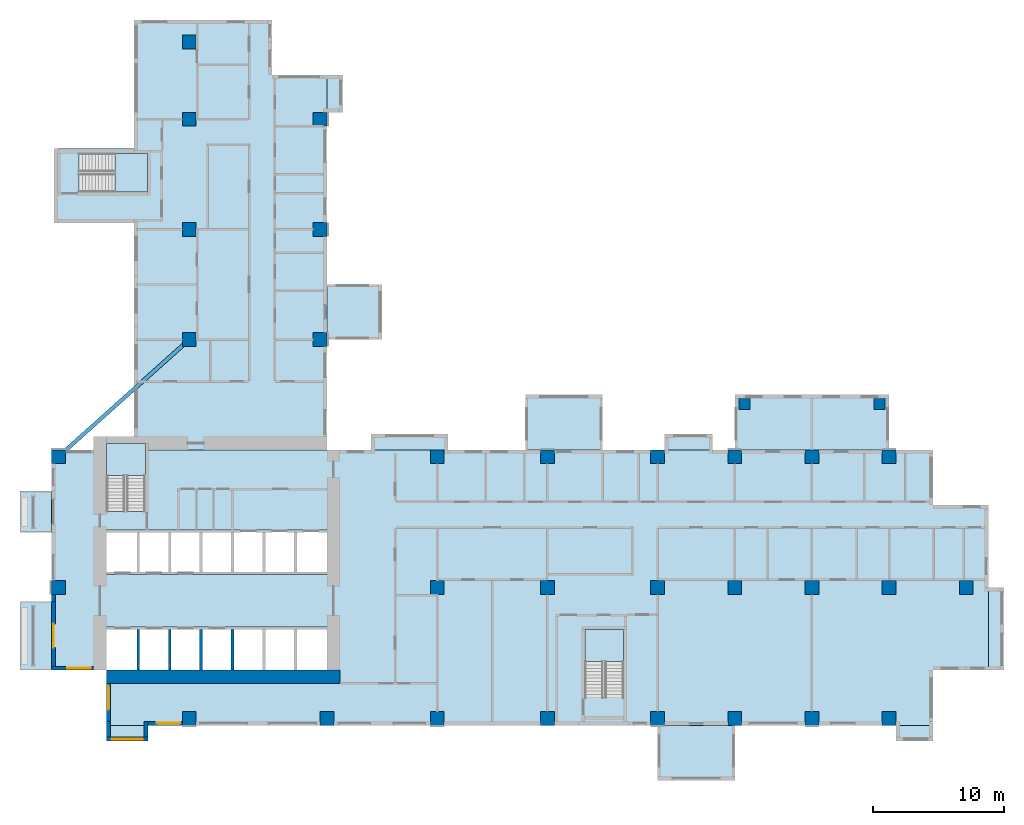
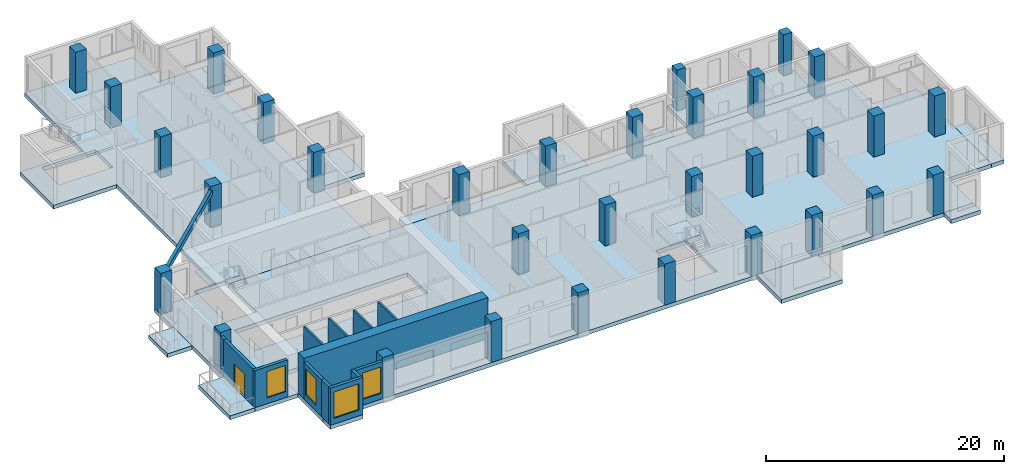
# One storey, part 1 of 15: 32 columns, 17 slabs, 13 walls, 4 windows, 1 door, 1 member, 5 openings, 3 elements without a shape of their own.
"""IFC4 building model written with IfcOpenShell, lengths in metres."""

from ifc_helpers import new_model, si_unit, direction, frame, frame_2d, origin, origin_2d, place, context, subcontext, project, spatial, polyline, rectangle, outline, extrude, source, transform, mapped, material, layer, layer_set, material_profile, profile_set, type_object, element, fill, aggregate, save


model = new_model("IFC4")

# Units and contexts
model_context = context("Model", 3, precision=1e-05, world=origin(), true_north=direction((0.0, 1.0)))
body_context = subcontext(model_context, "Body", "Model", "MODEL_VIEW")
ifc_project = project(units=[si_unit("LENGTHUNIT", "METRE"), si_unit("AREAUNIT", "SQUARE_METRE"), si_unit("VOLUMEUNIT", "CUBIC_METRE"), si_unit("PLANEANGLEUNIT", "RADIAN"), si_unit("MASSUNIT", "GRAM", prefix="KILO")], contexts=[model_context])

# Site, building, storey
site_placement = place(None, origin())
site = spatial("IfcSite", under=ifc_project, at=site_placement, CompositionType="ELEMENT")
building_placement = place(site_placement, origin())
building = spatial("IfcBuilding", under=site, at=building_placement, Name="Aurelian Terraces", CompositionType="ELEMENT")
storey_placement = place(building_placement, frame((0.0, 0.0, 120.3)))
storey = spatial("IfcBuildingStorey", under=building, at=storey_placement, Name="L26", CompositionType="ELEMENT", Elevation=120.3)

# Columns
ifc_material_1 = material(Name="Concrete fc' 83 MPa", Category="concrete")
ifc_material_profile_1 = material_profile(ifc_material_1, rectangle(XDim=1.05, YDim=1.05, at=origin_2d()))
ifc_profile_set_1 = profile_set([ifc_material_profile_1], Name="Concrete fc' 83 MPa")
column_type_1 = type_object("IfcColumnType", Name="RC COLUMN 1050X1050 FC83", PredefinedType="COLUMN", material=ifc_profile_set_1)
shared_shape_1 = source(origin(), body_context, "Body", "SweptSolid", [
    extrude(rectangle(XDim=1.05, YDim=1.05, at=origin_2d()), origin(), (0.0, 0.0, 1.0), 4.2),
])
for number, where, z_axis, x_axis, name in (
    (1, (10.5, 0.525, 0.0), (0.0, 0.0, 1.0), (1.0, 0.0, 0.0), "Column 2/A L26"),
    (2, (21.0, 0.525, 0.0), (0.0, 0.0, 1.0), (1.0, 0.0, 0.0), "Column 3/A L26"),
    (3, (29.4, 0.525, 0.0), (0.0, 0.0, 1.0), (1.0, 0.0, 0.0), "Column 4/A L26"),
    (4, (37.8, 0.525, 0.0), (0.0, 0.0, 1.0), (1.0, 0.0, 0.0), "Column 5/A L26"),
    (5, (46.2, 0.525, 0.0), (0.0, 0.0, 1.0), (1.0, 0.0, 0.0), "Column 6/A L26"),
    (6, (52.08, 0.525, 0.0), (0.0, 0.0, 1.0), (1.0, 0.0, 0.0), "Column 7/A L26"),
    (7, (57.96, 0.525, 0.0), (0.0, 0.0, 1.0), (1.0, 0.0, 0.0), "Column 8/A L26"),
    (8, (63.84, 0.525, 0.0), (0.0, 0.0, 1.0), (1.0, 0.0, 0.0), "Column 9/A L26"),
    (9, (0.525, 10.5, 0.0), (0.0, 0.0, 1.0), (1.0, 0.0, 0.0), "Column 1/B L26"),
    (10, (29.4, 10.5, 0.0), (0.0, 0.0, 1.0), (1.0, 0.0, 0.0), "Column 4/B L26"),
    (11, (37.8, 10.5, 0.0), (0.0, 0.0, 1.0), (1.0, 0.0, 0.0), "Column 5/B L26"),
    (12, (46.2, 10.5, 0.0), (0.0, 0.0, 1.0), (1.0, 0.0, 0.0), "Column 6/B L26"),
    (13, (52.08, 10.5, 0.0), (0.0, 0.0, 1.0), (1.0, 0.0, 0.0), "Column 7/B L26"),
    (14, (57.96, 10.5, 0.0), (0.0, 0.0, 1.0), (1.0, 0.0, 0.0), "Column 8/B L26"),
    (15, (63.84, 10.5, 0.0), (0.0, 0.0, 1.0), (1.0, 0.0, 0.0), "Column 9/B L26"),
    (16, (69.72, 10.5, 0.0), (0.0, 0.0, 1.0), (1.0, 0.0, 0.0), "Column 10/B L26"),
    (17, (0.525, 20.475, 0.0), (0.0, 0.0, 1.0), (1.0, 0.0, 0.0), "Column 1/C L26"),
    (18, (29.4, 20.475, 0.0), (0.0, 0.0, 1.0), (1.0, 0.0, 0.0), "Column 4/C L26"),
    (19, (37.8, 20.475, 0.0), (0.0, 0.0, 1.0), (1.0, 0.0, 0.0), "Column 5/C L26"),
    (20, (46.2, 20.475, 0.0), (0.0, 0.0, 1.0), (1.0, 0.0, 0.0), "Column 6/C L26"),
    (21, (52.08, 20.475, 0.0), (0.0, 0.0, 1.0), (1.0, 0.0, 0.0), "Column 7/C L26"),
    (22, (57.96, 20.475, 0.0), (0.0, 0.0, 1.0), (1.0, 0.0, 0.0), "Column 8/C L26"),
    (23, (63.84, 20.475, 0.0), (0.0, 0.0, 1.0), (1.0, 0.0, 0.0), "Column 9/C L26"),
    (24, (10.5, 29.4, 0.0), (0.0, 0.0, 1.0), (1.0, 0.0, 0.0), "Column 2/D L26"),
    (25, (20.475, 29.4, 0.0), (0.0, 0.0, 1.0), (1.0, 0.0, 0.0), "Column 3/D L26"),
    (26, (10.5, 37.8, 0.0), (0.0, 0.0, 1.0), (1.0, 0.0, 0.0), "Column 2/E L26"),
    (27, (20.475, 37.8, 0.0), (0.0, 0.0, 1.0), (1.0, 0.0, 0.0), "Column 3/E L26"),
    (28, (10.5, 46.2, 0.0), (0.0, 0.0, 1.0), (1.0, 0.0, 0.0), "Column 2/F L26"),
    (29, (20.475, 46.2, 0.0), (0.0, 0.0, 1.0), (1.0, 0.0, 0.0), "Column 3/F L26"),
    (30, (10.5, 52.08, 0.0), (0.0, 0.0, 1.0), (1.0, 0.0, 0.0), "Column 2/G L26"),
):
    element("IfcColumn", number, at=place(storey_placement, frame(where, z_axis=z_axis, x_axis=x_axis)), inside=storey, type_object=column_type_1, Name=name, PredefinedType="COLUMN", context=body_context, shape_type="MappedRepresentation", body=[
        mapped(shared_shape_1, transform((0.0, 0.0, 0.0), scale=1.0)),
    ])
ifc_material_2 = material(Name="Concrete fc' 55 MPa", Category="concrete")
ifc_material_profile_2 = material_profile(ifc_material_2, rectangle(XDim=0.84, YDim=0.84, at=origin_2d()))
ifc_profile_set_2 = profile_set([ifc_material_profile_2], Name="Concrete fc' 55 MPa")
column_type_2 = type_object("IfcColumnType", Name="BLOCK CORNER PIER 840X840", PredefinedType="COLUMN", material=ifc_profile_set_2)
shared_shape_2 = source(origin(), body_context, "Body", "SweptSolid", [
    extrude(rectangle(XDim=0.84, YDim=0.84, at=origin_2d()), origin(), (0.0, 0.0, 1.0), 4.2),
])
for number, where, z_axis, x_axis, name in (
    (31, (52.805, 24.48, 0.0), (0.0, 0.0, 1.0), (1.0, 0.0, 0.0), "Block pier K02.1 L26"),
    (32, (63.115, 24.48, 0.0), (0.0, 0.0, 1.0), (1.0, 0.0, 0.0), "Block pier K02.2 L26"),
):
    element("IfcColumn", number, at=place(storey_placement, frame(where, z_axis=z_axis, x_axis=x_axis)), inside=storey, type_object=column_type_2, Name=name, PredefinedType="COLUMN", context=body_context, shape_type="MappedRepresentation", body=[
        mapped(shared_shape_2, transform((0.0, 0.0, 0.0), scale=1.0)),
    ])

# Member
ifc_material_3 = material(Name="Concrete fc' 40 MPa", Category="concrete")
ifc_material_profile_3 = material_profile(ifc_material_3, rectangle(XDim=0.3, YDim=0.5, at=origin_2d()))
ifc_profile_set_3 = profile_set([ifc_material_profile_3], Name="Concrete fc' 40 MPa")
member_type = type_object("IfcMemberType", Name="CONCRETE EDGE BEAM 300X500", PredefinedType="MEMBER", material=ifc_profile_set_3)
member_placement = place(storey_placement, frame((10.1087, 29.0499, 3.55), z_axis=(-0.745240465393, -0.666795807381, 0.0), x_axis=(0.666795807381, -0.745240465393, 0.0)))
element("IfcMember", 33, at=member_placement, inside=storey, type_object=member_type, Name="Terrace edge member SKY-04-T1", PredefinedType="MEMBER", context=body_context, shape_type="SweptSolid", body=[
    extrude(rectangle(XDim=0.3, YDim=0.5, at=origin_2d()), origin(), (0.0, 0.0, 1.0), 12.3348),
])

# Slabs
ifc_layer_1 = layer(ifc_material_3, 0.41)
ifc_layer_set_1 = layer_set([ifc_layer_1], Name="Box floor 410")
slab_type_1 = type_object("IfcSlabType", Name="Box floor 410", PredefinedType="NOTDEFINED", material=ifc_layer_set_1)
slab_1_placement = place(storey_placement, frame((0.0, 0.0, -0.41)))
element("IfcSlab", 34, at=slab_1_placement, inside=storey, type_object=slab_type_1, Name="Box floor L26 J37", PredefinedType="NOTDEFINED", context=body_context, shape_type="SweptSolid", body=[
    extrude(outline(polyline([(42.0, 25.2), (36.12, 25.2), (36.12, 21.0), (42.0, 21.0), (42.0, 25.2)])), origin(), (0.0, 0.0, 1.0), 0.41),
])
slab_2_placement = place(storey_placement, frame((0.0, 0.0, -0.41)))
element("IfcSlab", 35, at=slab_2_placement, inside=storey, type_object=slab_type_1, Name="Box floor L26 J38", PredefinedType="NOTDEFINED", context=body_context, shape_type="SweptSolid", body=[
    extrude(outline(polyline([(25.2, 29.4), (25.2, 33.6), (21.0, 33.6), (21.0, 29.4), (25.2, 29.4)])), origin(), (0.0, 0.0, 1.0), 0.41),
])
ifc_layer_2 = layer(ifc_material_3, 0.4)
ifc_layer_set_2 = layer_set([ifc_layer_2], Name="PT FLAT PLATE 400")
slab_type_2 = type_object("IfcSlabType", Name="PT FLAT PLATE 400", PredefinedType="FLOOR", material=ifc_layer_set_2)
shared_shape_3 = source(origin(), body_context, "Body", "SweptSolid", [
    extrude(outline(polyline([(67.2, 16.8), (71.4, 16.8), (71.4, 4.2), (67.2, 4.2), (67.2, 0.0), (21.0, 0.0), (4.2, 0.0), (4.2, 4.2), (0.0, 4.2), (0.0, 21.0), (4.21, 21.0), (4.21, 16.31), (7.14, 16.31), (7.14, 21.0), (21.0, 21.0), (67.2, 21.0), (67.2, 16.8)]), holes=[polyline([(40.66, 2.11), (43.59, 2.11), (43.59, 7.29), (40.66, 7.29), (40.66, 2.11)]), polyline([(4.21, 7.49), (4.21, 4.21), (20.99, 4.21), (20.99, 7.49), (4.21, 7.49)]), polyline([(4.21, 14.89), (4.21, 11.51), (20.99, 11.51), (20.99, 14.89), (4.21, 14.89)])]), origin(), (0.0, 0.0, 1.0), 0.4),
])
slab_3_placement = place(storey_placement, frame((0.0, 0.0, -0.4)))
element("IfcSlab", 36, at=slab_3_placement, inside=storey, type_object=slab_type_2, Name="Floor slab S L26", PredefinedType="FLOOR", context=body_context, shape_type="MappedRepresentation", body=[
    mapped(shared_shape_3, transform((0.0, 0.0, 0.0), scale=1.0)),
])
shared_shape_4 = source(origin(), body_context, "Body", "SweptSolid", [
    extrude(outline(polyline([(0.2, 43.95), (6.3, 43.95), (6.3, 49.56), (6.3, 53.76), (10.5, 53.76), (16.8, 53.76), (16.8, 49.56), (21.0, 49.56), (21.0, 21.0), (7.14, 21.0), (7.14, 21.49), (4.21, 21.49), (4.21, 21.0), (4.2, 21.0), (4.2, 21.6), (6.3, 21.6), (6.3, 38.3), (0.2, 38.3), (0.2, 43.95)]), holes=[polyline([(7.29, 43.59), (2.11, 43.59), (2.11, 40.66), (7.29, 40.66), (7.29, 43.59)])]), origin(), (0.0, 0.0, 1.0), 0.4),
])
slab_4_placement = place(storey_placement, frame((0.0, 0.0, -0.4)))
element("IfcSlab", 37, at=slab_4_placement, inside=storey, type_object=slab_type_2, Name="Floor slab W L26", PredefinedType="FLOOR", context=body_context, shape_type="MappedRepresentation", body=[
    mapped(shared_shape_4, transform((0.0, 0.0, 0.0), scale=1.0)),
])
shared_shape_5 = source(origin(), body_context, "Body", "SweptSolid", [
    extrude(outline(polyline([(46.2, -4.2), (52.08, -4.2), (52.08, 0.0), (46.2, 0.0), (46.2, -4.2)])), origin(), (0.0, 0.0, 1.0), 0.41),
])
slab_5_placement = place(storey_placement, frame((0.0, 0.0, -0.41)))
element("IfcSlab", 38, at=slab_5_placement, inside=storey, type_object=slab_type_1, Name="Box floor L26 J36", PredefinedType="NOTDEFINED", context=body_context, shape_type="MappedRepresentation", body=[
    mapped(shared_shape_5, transform((0.0, 0.0, 0.0), scale=1.0)),
])
ifc_layer_3 = layer(ifc_material_3, 0.4)
ifc_layer_set_3 = layer_set([ifc_layer_3], Name="Bay floor 400")
slab_type_3 = type_object("IfcSlabType", Name="Bay floor 400", PredefinedType="NOTDEFINED", material=ifc_layer_set_3)
shared_shape_6 = source(origin(), body_context, "Body", "SweptSolid", [
    extrude(outline(polyline([(4.2, 0.0), (7.35, 0.0), (7.35, -1.2), (4.2, -1.2), (4.2, 0.0)])), origin(), (0.0, 0.0, 1.0), 0.4),
])
slab_6_placement = place(storey_placement, frame((0.0, 0.0, -0.4)))
element("IfcSlab", 39, at=slab_6_placement, inside=storey, type_object=slab_type_3, Name="Bay floor L26 F01.1", PredefinedType="NOTDEFINED", context=body_context, shape_type="MappedRepresentation", body=[
    mapped(shared_shape_6, transform((0.0, 0.0, 0.0), scale=1.0)),
])
shared_shape_7 = source(origin(), body_context, "Body", "SweptSolid", [
    extrude(outline(polyline([(71.4, 4.2), (71.4, 10.5), (72.6, 10.5), (72.6, 4.2), (71.4, 4.2)])), origin(), (0.0, 0.0, 1.0), 0.4),
])
slab_7_placement = place(storey_placement, frame((0.0, 0.0, -0.4)))
element("IfcSlab", 40, at=slab_7_placement, inside=storey, type_object=slab_type_3, Name="Bay floor L26 F04.14", PredefinedType="NOTDEFINED", context=body_context, shape_type="MappedRepresentation", body=[
    mapped(shared_shape_7, transform((0.0, 0.0, 0.0), scale=1.0)),
])
shared_shape_8 = source(origin(), body_context, "Body", "SweptSolid", [
    extrude(outline(polyline([(63.84, 25.2), (52.08, 25.2), (52.08, 21.0), (63.84, 21.0), (63.84, 25.2)])), origin(), (0.0, 0.0, 1.0), 0.41),
])
slab_8_placement = place(storey_placement, frame((0.0, 0.0, -0.41)))
element("IfcSlab", 41, at=slab_8_placement, inside=storey, type_object=slab_type_1, Name="Box floor L26 K02", PredefinedType="NOTDEFINED", context=body_context, shape_type="MappedRepresentation", body=[
    mapped(shared_shape_8, transform((0.0, 0.0, 0.0), scale=1.0)),
])
shared_shape_9 = source(origin(), body_context, "Body", "SweptSolid", [
    extrude(outline(polyline([(64.365, 0.0), (67.2, 0.0), (67.2, -1.2), (64.365, -1.2), (64.365, 0.0)])), origin(), (0.0, 0.0, 1.0), 0.4),
])
slab_9_placement = place(storey_placement, frame((0.0, 0.0, -0.4)))
element("IfcSlab", 42, at=slab_9_placement, inside=storey, type_object=slab_type_3, Name="Bay floor L26 F01.10", PredefinedType="NOTDEFINED", context=body_context, shape_type="MappedRepresentation", body=[
    mapped(shared_shape_9, transform((0.0, 0.0, 0.0), scale=1.0)),
])
shared_shape_10 = source(origin(), body_context, "Body", "SweptSolid", [
    extrude(outline(polyline([(30.24, 21.0), (24.36, 21.0), (24.36, 22.2), (30.24, 22.2), (30.24, 21.0)])), origin(), (0.0, 0.0, 1.0), 0.4),
])
slab_10_placement = place(storey_placement, frame((0.0, 0.0, -0.4)))
element("IfcSlab", 43, at=slab_10_placement, inside=storey, type_object=slab_type_3, Name="Bay floor L26 F07.21", PredefinedType="NOTDEFINED", context=body_context, shape_type="MappedRepresentation", body=[
    mapped(shared_shape_10, transform((0.0, 0.0, 0.0), scale=1.0)),
])
shared_shape_11 = source(origin(), body_context, "Body", "SweptSolid", [
    extrude(outline(polyline([(50.4, 21.0), (46.725, 21.0), (46.725, 22.2), (50.4, 22.2), (50.4, 21.0)])), origin(), (0.0, 0.0, 1.0), 0.4),
])
slab_11_placement = place(storey_placement, frame((0.0, 0.0, -0.4)))
element("IfcSlab", 44, at=slab_11_placement, inside=storey, type_object=slab_type_3, Name="Bay floor L26 F07.19", PredefinedType="NOTDEFINED", context=body_context, shape_type="MappedRepresentation", body=[
    mapped(shared_shape_11, transform((0.0, 0.0, 0.0), scale=1.0)),
])
shared_shape_12 = source(origin(), body_context, "Body", "SweptSolid", [
    extrude(outline(polyline([(21.0, 46.725), (21.0, 49.56), (22.2, 49.56), (22.2, 46.725), (21.0, 46.725)])), origin(), (0.0, 0.0, 1.0), 0.4),
])
slab_12_placement = place(storey_placement, frame((0.0, 0.0, -0.4)))
element("IfcSlab", 45, at=slab_12_placement, inside=storey, type_object=slab_type_3, Name="Bay floor L26 F08.26", PredefinedType="NOTDEFINED", context=body_context, shape_type="MappedRepresentation", body=[
    mapped(shared_shape_12, transform((0.0, 0.0, 0.0), scale=1.0)),
])
ifc_layer_4 = layer(ifc_material_3, 0.4)
ifc_layer_set_4 = layer_set([ifc_layer_4], Name="Balcony slab 400")
slab_type_4 = type_object("IfcSlabType", Name="Balcony slab 400", PredefinedType="NOTDEFINED", material=ifc_layer_set_4)
shared_shape_13 = source(origin(), body_context, "Body", "SweptSolid", [
    extrude(outline(polyline([(0.0, 17.85), (0.0, 14.7), (-2.4, 14.7), (-2.4, 17.85), (0.0, 17.85)])), origin(), (0.0, 0.0, 1.0), 0.4),
])
slab_13_placement = place(storey_placement, frame((0.0, 0.0, -0.4)))
element("IfcSlab", 46, at=slab_13_placement, inside=storey, type_object=slab_type_4, Name="Balcony slab L26 F20.40", PredefinedType="NOTDEFINED", context=body_context, shape_type="MappedRepresentation", body=[
    mapped(shared_shape_13, transform((0.0, 0.0, 0.0), scale=1.0)),
])
shared_shape_14 = source(origin(), body_context, "Body", "SweptSolid", [
    extrude(outline(polyline([(0.0, 9.45), (0.0, 4.2), (-2.4, 4.2), (-2.4, 9.45), (0.0, 9.45)])), origin(), (0.0, 0.0, 1.0), 0.4),
])
slab_14_placement = place(storey_placement, frame((0.0, 0.0, -0.4)))
element("IfcSlab", 47, at=slab_14_placement, inside=storey, type_object=slab_type_4, Name="Balcony slab L26 F20.42", PredefinedType="NOTDEFINED", context=body_context, shape_type="MappedRepresentation", body=[
    mapped(shared_shape_14, transform((0.0, 0.0, 0.0), scale=1.0)),
])

# Stair, slab
stair_type = type_object("IfcStairType", Name="Stair 1400", PredefinedType="HALF_TURN_STAIR", material=ifc_material_3)
stair_1_placement = place(storey_placement, origin())
stair_1 = element("IfcStair", 48, at=stair_1_placement, inside=storey, type_object=stair_type, Name="L26 S1", PredefinedType="HALF_TURN_STAIR")
ifc_layer_5 = layer(ifc_material_3, 0.2)
ifc_layer_set_5 = layer_set([ifc_layer_5], Name="Stair landing 200")
slab_type_5 = type_object("IfcSlabType", Name="Stair landing 200", PredefinedType="LANDING", material=ifc_layer_set_5)
shared_shape_15 = source(origin(), body_context, "Body", "SweptSolid", [
    extrude(outline(polyline([(7.15, 19.05), (7.15, 21.5), (4.2, 21.5), (4.2, 19.05), (7.15, 19.05)])), origin(), (0.0, 0.0, 1.0), 0.2),
])
slab_15_placement = place(storey_placement, frame((0.0, 0.0, 1.9)))
slab_15 = element("IfcSlab", 49, at=slab_15_placement, type_object=slab_type_5, Name="S1 landing 1", PredefinedType="LANDING", context=body_context, shape_type="MappedRepresentation", body=[
    mapped(shared_shape_15, transform((0.0, 0.0, 0.0), scale=1.0)),
])
aggregate(stair_1, [slab_15])

stair_2_placement = place(storey_placement, origin())
stair_2 = element("IfcStair", 50, at=stair_2_placement, inside=storey, type_object=stair_type, Name="L26 S2", PredefinedType="HALF_TURN_STAIR")
shared_shape_16 = source(origin(), body_context, "Body", "SweptSolid", [
    extrude(outline(polyline([(43.6, 4.85), (43.6, 7.3), (40.65, 7.3), (40.65, 4.85), (43.6, 4.85)])), origin(), (0.0, 0.0, 1.0), 0.2),
])
slab_16_placement = place(storey_placement, frame((0.0, 0.0, 1.9)))
slab_16 = element("IfcSlab", 51, at=slab_16_placement, type_object=slab_type_5, Name="S2 landing 1", PredefinedType="LANDING", context=body_context, shape_type="MappedRepresentation", body=[
    mapped(shared_shape_16, transform((0.0, 0.0, 0.0), scale=1.0)),
])
aggregate(stair_2, [slab_16])

stair_3_placement = place(storey_placement, origin())
stair_3 = element("IfcStair", 52, at=stair_3_placement, inside=storey, type_object=stair_type, Name="L26 S3", PredefinedType="HALF_TURN_STAIR")
shared_shape_17 = source(origin(), body_context, "Body", "SweptSolid", [
    extrude(outline(polyline([(4.85, 40.65), (7.3, 40.65), (7.3, 43.6), (4.85, 43.6), (4.85, 40.65)])), origin(), (0.0, 0.0, 1.0), 0.2),
])
slab_17_placement = place(storey_placement, frame((0.0, 0.0, 1.9)))
slab_17 = element("IfcSlab", 53, at=slab_17_placement, type_object=slab_type_5, Name="S3 landing 1", PredefinedType="LANDING", context=body_context, shape_type="MappedRepresentation", body=[
    mapped(shared_shape_17, transform((0.0, 0.0, 0.0), scale=1.0)),
])
aggregate(stair_3, [slab_17])

# Wall
ifc_layer_6 = layer(ifc_material_1, 1.0)
ifc_layer_set_6 = layer_set([ifc_layer_6], Name="CORE WALL 1000 FC83")
wall_type_1 = type_object("IfcWallType", Name="CORE WALL 1000 FC83", PredefinedType="SHEAR", material=ifc_layer_set_6)
shared_shape_18 = source(origin(), body_context, "Body", "SweptSolid", [
    extrude(rectangle(XDim=17.8, YDim=1.0, at=frame_2d((8.9, 0.0))), origin(), (0.0, 0.0, 1.0), 4.2),
])
wall_1_placement = place(storey_placement, frame((4.2, 3.7, 0.0), z_axis=(0.0, 0.0, 1.0), x_axis=(1.0, 0.0, 0.0)))
element("IfcWall", 54, at=wall_1_placement, inside=storey, type_object=wall_type_1, Name="Core wall S L26", PredefinedType="SHEAR", context=body_context, shape_type="MappedRepresentation", body=[
    mapped(shared_shape_18, transform((0.0, 0.0, 0.0), scale=1.0)),
])

# Wall, opening, window
ifc_material_4 = material(Name="Terracotta rainscreen cladding", Category="masonry")
ifc_layer_7 = layer(ifc_material_4, 0.3)
ifc_layer_set_7 = layer_set([ifc_layer_7], Name="EW-300")
wall_type_2 = type_object("IfcWallType", Name="EW-300", PredefinedType="STANDARD", material=ifc_layer_set_7)
shared_shape_19 = source(origin(), body_context, "Body", "SweptSolid", [
    extrude(rectangle(XDim=3.15, YDim=0.3, at=frame_2d((1.575, 0.0))), origin(), (0.0, 0.0, 1.0), 3.8),
])
wall_2_placement = place(storey_placement, frame((4.2, -1.05, 0.0), z_axis=(0.0, 0.0, 1.0), x_axis=(1.0, 0.0, 0.0)))
wall_2 = element("IfcWall", 55, at=wall_2_placement, inside=storey, type_object=wall_type_2, Name="Bay wall L26 F01.1", PredefinedType="STANDARD", context=body_context, shape_type="MappedRepresentation", body=[
    mapped(shared_shape_19, transform((0.0, 0.0, 0.0), scale=1.0)),
])
shared_shape_20 = source(origin(), body_context, "Body", "SweptSolid", [
    extrude(rectangle(XDim=2.4, YDim=2.7, at=frame_2d((1.2, 1.35))), frame((0.0, 0.16, 0.0), z_axis=(0.0, -1.0, 0.0), x_axis=(1.0, 0.0, 0.0)), (0.0, 0.0, 1.0), 0.32),
])
opening_1_placement = place(wall_2_placement, frame((0.375, 0.0, 0.6)))
opening_1 = element("IfcOpeningElement", 56, at=opening_1_placement, cuts=wall_2, Name="Opening W2427", PredefinedType="OPENING", context=body_context, shape_type="MappedRepresentation", body=[
    mapped(shared_shape_20, transform((0.0, 0.0, 0.0), scale=1.0)),
])
ifc_material_5 = material(Name="Clear glazing", Category="glass")
window_type_1 = type_object("IfcWindowType", Name="W-2400x2700", PartitioningType="SINGLE_PANEL", PredefinedType="WINDOW", material=ifc_material_5)
shared_shape_21 = source(origin(), body_context, "Body", "SweptSolid", [
    extrude(rectangle(XDim=2.4, YDim=2.7, at=frame_2d((1.2, 1.35))), frame((0.0, 0.03, 0.0), z_axis=(0.0, -1.0, 0.0), x_axis=(1.0, 0.0, 0.0)), (0.0, 0.0, 1.0), 0.06),
])
window_1_placement = place(opening_1_placement, origin())
window_1 = element("IfcWindow", 57, at=window_1_placement, inside=storey, type_object=window_type_1, Name="Window L26 L26-F01-01-0", OverallHeight=2.7, OverallWidth=2.4, PartitioningType="SINGLE_PANEL", PredefinedType="WINDOW", context=body_context, shape_type="MappedRepresentation", body=[
    mapped(shared_shape_21, transform((0.0, 0.0, 0.0), scale=1.0)),
])
fill(opening_1, window_1)

# Walls
shared_shape_22 = source(origin(), body_context, "Body", "SweptSolid", [
    extrude(rectangle(XDim=1.2, YDim=0.3, at=frame_2d((0.6, 0.0))), origin(), (0.0, 0.0, 1.0), 3.8),
])
for number, where, z_axis, x_axis, name in (
    (58, (4.35, 0.3, 0.0), (0.0, 0.0, 1.0), (0.0, -1.0, 0.0), "Bay return L26 F01.1.1"),
    (59, (7.2, 0.3, 0.0), (0.0, 0.0, 1.0), (0.0, -1.0, 0.0), "Bay return L26 F01.1.2"),
):
    element("IfcWall", number, at=place(storey_placement, frame(where, z_axis=z_axis, x_axis=x_axis)), inside=storey, type_object=wall_type_2, Name=name, PredefinedType="STANDARD", context=body_context, shape_type="MappedRepresentation", body=[
        mapped(shared_shape_22, transform((0.0, 0.0, 0.0), scale=1.0)),
    ])

# Wall, opening, window
shared_shape_23 = source(origin(), body_context, "Body", "SweptSolid", [
    extrude(rectangle(XDim=3.2, YDim=0.3, at=frame_2d((1.6, 0.0))), origin(), (0.0, 0.0, 1.0), 3.8),
])
wall_3_placement = place(storey_placement, frame((0.0, 4.35, 0.0), z_axis=(0.0, 0.0, 1.0), x_axis=(1.0, 0.0, 0.0)))
wall_3 = element("IfcWall", 60, at=wall_3_placement, inside=storey, type_object=wall_type_2, Name="External wall L26 F21.43", PredefinedType="STANDARD", context=body_context, shape_type="MappedRepresentation", body=[
    mapped(shared_shape_23, transform((0.0, 0.0, 0.0), scale=1.0)),
])
shared_shape_24 = source(origin(), body_context, "Body", "SweptSolid", [
    extrude(rectangle(XDim=1.8, YDim=2.7, at=frame_2d((0.9, 1.35))), frame((0.0, 0.16, 0.0), z_axis=(0.0, -1.0, 0.0), x_axis=(1.0, 0.0, 0.0)), (0.0, 0.0, 1.0), 0.32),
])
opening_2_placement = place(wall_3_placement, frame((1.2, 0.0, 0.6)))
opening_2 = element("IfcOpeningElement", 61, at=opening_2_placement, cuts=wall_3, Name="Opening W1827", PredefinedType="OPENING", context=body_context, shape_type="MappedRepresentation", body=[
    mapped(shared_shape_24, transform((0.0, 0.0, 0.0), scale=1.0)),
])
window_type_2 = type_object("IfcWindowType", Name="W-1800x2700", PartitioningType="SINGLE_PANEL", PredefinedType="WINDOW", material=ifc_material_5)
shared_shape_25 = source(origin(), body_context, "Body", "SweptSolid", [
    extrude(rectangle(XDim=1.8, YDim=2.7, at=frame_2d((0.9, 1.35))), frame((0.0, 0.03, 0.0), z_axis=(0.0, -1.0, 0.0), x_axis=(1.0, 0.0, 0.0)), (0.0, 0.0, 1.0), 0.06),
])
window_2_placement = place(opening_2_placement, origin())
window_2 = element("IfcWindow", 62, at=window_2_placement, inside=storey, type_object=window_type_2, Name="Window L26 L26-F21-43-0", OverallHeight=2.7, OverallWidth=1.8, PartitioningType="SINGLE_PANEL", PredefinedType="WINDOW", context=body_context, shape_type="MappedRepresentation", body=[
    mapped(shared_shape_25, transform((0.0, 0.0, 0.0), scale=1.0)),
])
fill(opening_2, window_2)

wall_4_placement = place(storey_placement, frame((4.35, 3.2, 0.0), z_axis=(0.0, 0.0, 1.0), x_axis=(0.0, -1.0, 0.0)))
wall_4 = element("IfcWall", 63, at=wall_4_placement, inside=storey, type_object=wall_type_2, Name="External wall L26 F22.44", PredefinedType="STANDARD", context=body_context, shape_type="MappedRepresentation", body=[
    mapped(shared_shape_23, transform((0.0, 0.0, 0.0), scale=1.0)),
])
opening_3_placement = place(wall_4_placement, frame((0.2, 0.0, 0.6)))
opening_3 = element("IfcOpeningElement", 64, at=opening_3_placement, cuts=wall_4, Name="Opening W1827", PredefinedType="OPENING", context=body_context, shape_type="MappedRepresentation", body=[
    mapped(shared_shape_24, transform((0.0, 0.0, 0.0), scale=1.0)),
])
window_3_placement = place(opening_3_placement, origin())
window_3 = element("IfcWindow", 65, at=window_3_placement, inside=storey, type_object=window_type_2, Name="Window L26 L26-F22-44-0", OverallHeight=2.7, OverallWidth=1.8, PartitioningType="SINGLE_PANEL", PredefinedType="WINDOW", context=body_context, shape_type="MappedRepresentation", body=[
    mapped(shared_shape_25, transform((0.0, 0.0, 0.0), scale=1.0)),
])
fill(opening_3, window_3)

# Wall, opening, door
shared_shape_26 = source(origin(), body_context, "Body", "SweptSolid", [
    extrude(rectangle(XDim=5.25, YDim=0.3, at=frame_2d((2.625, 0.0))), origin(), (0.0, 0.0, 1.0), 3.8),
])
wall_5_placement = place(storey_placement, frame((0.15, 9.45, 0.0), z_axis=(0.0, 0.0, 1.0), x_axis=(0.0, -1.0, 0.0)))
wall_5 = element("IfcWall", 66, at=wall_5_placement, inside=storey, type_object=wall_type_2, Name="External wall L26 F20.42", PredefinedType="STANDARD", context=body_context, shape_type="MappedRepresentation", body=[
    mapped(shared_shape_26, transform((0.0, 0.0, 0.0), scale=1.0)),
])
shared_shape_27 = source(origin(), body_context, "Body", "SweptSolid", [
    extrude(rectangle(XDim=1.8, YDim=2.4, at=frame_2d((0.9, 1.2))), frame((0.0, 0.16, 0.0), z_axis=(0.0, -1.0, 0.0), x_axis=(1.0, 0.0, 0.0)), (0.0, 0.0, 1.0), 0.32),
])
opening_4_placement = place(wall_5_placement, frame((1.725, 0.0, 0.0)))
opening_4 = element("IfcOpeningElement", 67, at=opening_4_placement, cuts=wall_5, Name="Opening 82602", PredefinedType="OPENING", context=body_context, shape_type="MappedRepresentation", body=[
    mapped(shared_shape_27, transform((0.0, 0.0, 0.0), scale=1.0)),
])
door_type = type_object("IfcDoorType", Name="BD-1800x2400", OperationType="SLIDING_TO_LEFT", PredefinedType="DOOR", material=ifc_material_5)
shared_shape_28 = source(origin(), body_context, "Body", "SweptSolid", [
    extrude(rectangle(XDim=1.8, YDim=2.4, at=frame_2d((0.9, 1.2))), frame((0.0, 0.025, 0.0), z_axis=(0.0, -1.0, 0.0), x_axis=(1.0, 0.0, 0.0)), (0.0, 0.0, 1.0), 0.05),
])
door_placement = place(opening_4_placement, origin())
door = element("IfcDoor", 68, at=door_placement, inside=storey, type_object=door_type, Name="Balcony door L26 F20.42", OperationType="SLIDING_TO_LEFT", OverallHeight=2.4, OverallWidth=1.8, PredefinedType="DOOR", context=body_context, shape_type="MappedRepresentation", body=[
    mapped(shared_shape_28, transform((0.0, 0.0, 0.0), scale=1.0)),
])
fill(opening_4, door)

# Wall, opening, window
shared_shape_29 = source(origin(), body_context, "Body", "SweptSolid", [
    extrude(rectangle(XDim=2.625, YDim=0.3, at=frame_2d((1.3125, 0.0))), origin(), (0.0, 0.0, 1.0), 3.8),
])
wall_6_placement = place(storey_placement, frame((7.35, 0.15, 0.0), z_axis=(0.0, 0.0, 1.0), x_axis=(1.0, 0.0, 0.0)))
wall_6 = element("IfcWall", 69, at=wall_6_placement, inside=storey, type_object=wall_type_2, Name="External wall L26 F01.2", PredefinedType="STANDARD", context=body_context, shape_type="MappedRepresentation", body=[
    mapped(shared_shape_29, transform((0.0, 0.0, 0.0), scale=1.0)),
])
opening_5_placement = place(wall_6_placement, frame((0.675, 0.0, 0.6)))
opening_5 = element("IfcOpeningElement", 70, at=opening_5_placement, cuts=wall_6, Name="Opening W1827", PredefinedType="OPENING", context=body_context, shape_type="MappedRepresentation", body=[
    mapped(shared_shape_24, transform((0.0, 0.0, 0.0), scale=1.0)),
])
window_4_placement = place(opening_5_placement, origin())
window_4 = element("IfcWindow", 71, at=window_4_placement, inside=storey, type_object=window_type_2, Name="Window L26 L26-F01-02-0", OverallHeight=2.7, OverallWidth=1.8, PartitioningType="SINGLE_PANEL", PredefinedType="WINDOW", context=body_context, shape_type="MappedRepresentation", body=[
    mapped(shared_shape_25, transform((0.0, 0.0, 0.0), scale=1.0)),
])
fill(opening_5, window_4)

# Walls
shared_shape_30 = source(origin(), body_context, "Body", "SweptSolid", [
    extrude(rectangle(XDim=0.525, YDim=0.3, at=frame_2d((0.2625, 0.0))), origin(), (0.0, 0.0, 1.0), 3.8),
])
wall_7_placement = place(storey_placement, frame((0.15, 9.975, 0.0), z_axis=(0.0, 0.0, 1.0), x_axis=(0.0, -1.0, 0.0)))
element("IfcWall", 72, at=wall_7_placement, inside=storey, type_object=wall_type_2, Name="External wall L26 F20.41", PredefinedType="STANDARD", context=body_context, shape_type="MappedRepresentation", body=[
    mapped(shared_shape_30, transform((0.0, 0.0, 0.0), scale=1.0)),
])
ifc_layer_8 = layer(ifc_material_3, 0.2)
ifc_layer_set_8 = layer_set([ifc_layer_8], Name="Lift shaft wall 200")
wall_type_3 = type_object("IfcWallType", Name="Lift shaft wall 200", PredefinedType="SOLIDWALL", material=ifc_layer_set_8)
shared_shape_31 = source(origin(), body_context, "Body", "SweptSolid", [
    extrude(rectangle(XDim=3.1, YDim=0.2, at=frame_2d((1.55, 0.0))), origin(), (0.0, 0.0, 1.0), 4.2),
])
for number, where, z_axis, x_axis, name in (
    (73, (6.6, 4.2, 0.0), (0.0, 0.0, 1.0), (0.0, 1.0, 0.0), "L26 core wall CD-A1"),
    (74, (9.0, 4.2, 0.0), (0.0, 0.0, 1.0), (0.0, 1.0, 0.0), "L26 core wall CD-A2"),
    (75, (11.4, 4.2, 0.0), (0.0, 0.0, 1.0), (0.0, 1.0, 0.0), "L26 core wall CD-A3"),
    (76, (13.8, 4.2, 0.0), (0.0, 0.0, 1.0), (0.0, 1.0, 0.0), "L26 core wall CD-A4"),
):
    element("IfcWall", number, at=place(storey_placement, frame(where, z_axis=z_axis, x_axis=x_axis)), inside=storey, type_object=wall_type_3, Name=name, PredefinedType="SOLIDWALL", context=body_context, shape_type="MappedRepresentation", body=[
        mapped(shared_shape_31, transform((0.0, 0.0, 0.0), scale=1.0)),
    ])

save(model, "model.ifc")
